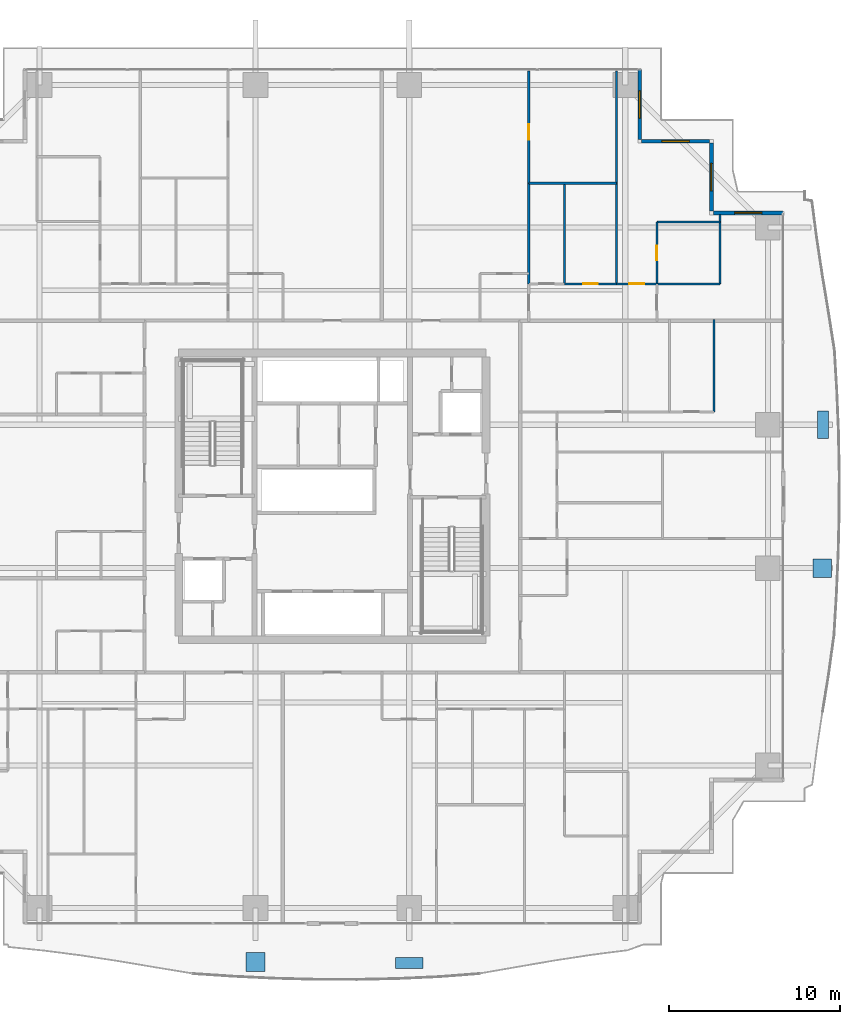
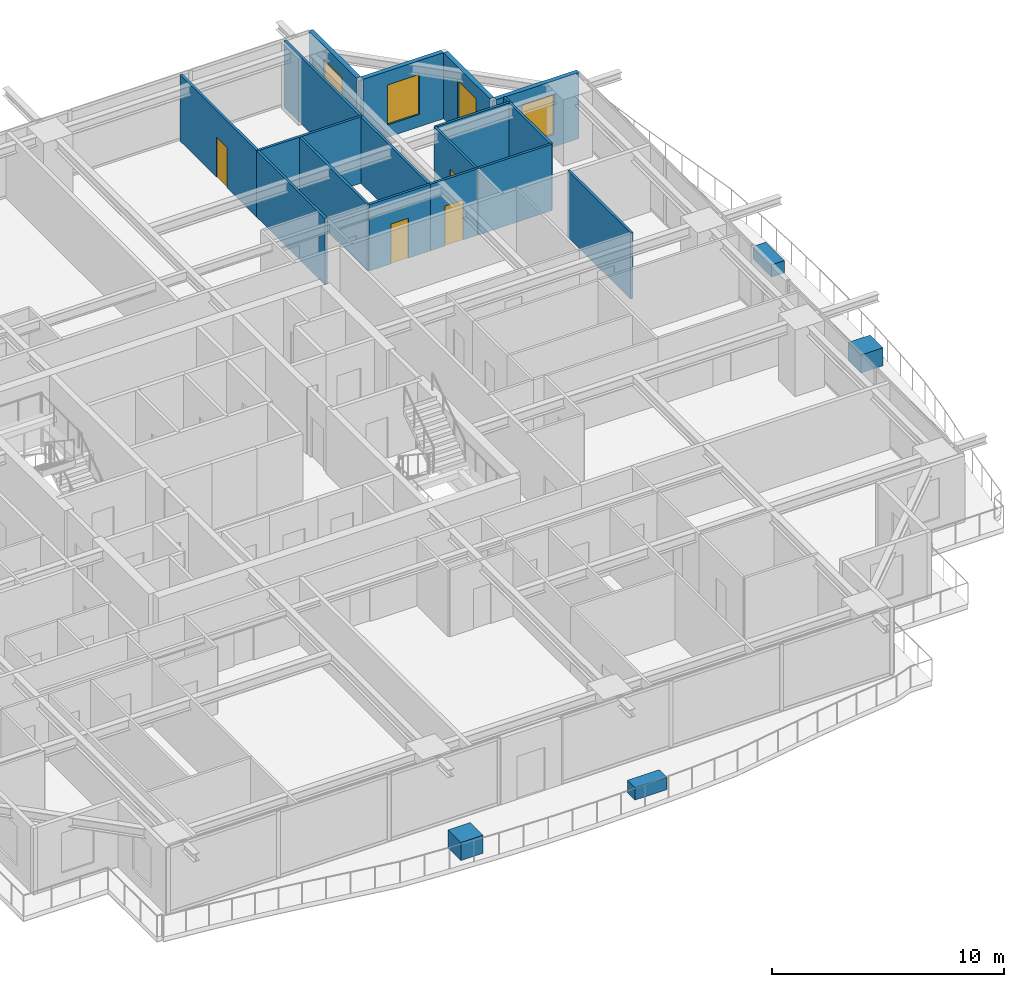
# One storey, part 32 of 39: 16 walls, 4 discrete accessories, 4 doors, 4 windows, 8 openings.
"""IFC4 building model written with IfcOpenShell, lengths in metres."""

from ifc_helpers import new_model, si_unit, direction, frame, frame_2d, origin, origin_2d, place, context, subcontext, project, spatial, rectangle, extrude, source, transform, mapped, material, layer, layer_set, type_object, element, fill, save


model = new_model("IFC4")

# Units and contexts
model_context = context("Model", 3, precision=1e-05, world=origin(), true_north=direction((0.0, 1.0)))
body_context = subcontext(model_context, "Body", "Model", "MODEL_VIEW")
ifc_project = project(units=[si_unit("LENGTHUNIT", "METRE"), si_unit("AREAUNIT", "SQUARE_METRE"), si_unit("VOLUMEUNIT", "CUBIC_METRE"), si_unit("PLANEANGLEUNIT", "RADIAN"), si_unit("MASSUNIT", "GRAM", prefix="KILO")], contexts=[model_context])

# Site, building, storey
site_placement = place(None, origin())
site = spatial("IfcSite", under=ifc_project, at=site_placement, CompositionType="ELEMENT")
building_placement = place(site_placement, origin())
building = spatial("IfcBuilding", under=site, at=building_placement, Name="Serunith Strait Residences", CompositionType="ELEMENT")
storey_placement = place(building_placement, frame((0.0, 0.0, 79.199951171875)))
storey = spatial("IfcBuildingStorey", under=building, at=storey_placement, Name="L19", CompositionType="ELEMENT", Elevation=79.199951171875)

# Wall, opening, window
ifc_material_1 = material(Name="Pale-Champagne Aluminium Insulated Panel", Category="aluminium")
ifc_layer_1 = layer(ifc_material_1, 0.219970703125, Name="Pale-Champagne Aluminium Insulated Panel")
ifc_layer_set_1 = layer_set([ifc_layer_1], Name="Pale-Champagne Aluminium Insulated Panel")
wall_type_1 = type_object("IfcWallType", Name="EW-ALUM-220", PredefinedType="ELEMENTEDWALL", material=ifc_layer_set_1)
wall_1_placement = place(storey_placement, frame((58.800048828125, 41.800048828125, 0.0), z_axis=(0.0, 0.0, 1.0), x_axis=(-1.0, 0.0, 0.0)))
wall_1 = element("IfcWall", 1, at=wall_1_placement, inside=storey, type_object=wall_type_1, Name="L19 Girih Serrated Corner Wall 07", PredefinedType="ELEMENTEDWALL", context=body_context, shape_type="SweptSolid", body=[
    extrude(rectangle(XDim=4.090087890625, YDim=0.219970703125, at=frame_2d((2.044921875, 0.0))), origin(), (0.0, 0.0, 1.0), 3.47509765625),
])
opening_1_placement = place(wall_1_placement, frame((1.2451171875, 0.0, 0.64990234375)))
opening_1 = element("IfcOpeningElement", 2, at=opening_1_placement, cuts=wall_1, Name="Opening W-02", PredefinedType="OPENING", context=body_context, shape_type="SweptSolid", body=[
    extrude(rectangle(XDim=1.60009765625, YDim=2.10009765625, at=frame_2d((0.800048828125, 1.050048828125))), frame((0.0, 0.1201171875, 0.0), z_axis=(0.0, -1.0, 0.0), x_axis=(1.0, 0.0, 0.0)), (0.0, 0.0, 1.0), 0.239990234375),
])
ifc_material_2 = material(Name="Ceramic-Fritted Operable Aluminium Window Glass", Category="aluminium")
window_type = type_object("IfcWindowType", Name="WIN-C2", PartitioningType="DOUBLE_PANEL_VERTICAL", PredefinedType="WINDOW", material=ifc_material_2)
shared_shape_1 = source(origin(), body_context, "Body", "SweptSolid", [
    extrude(rectangle(XDim=1.60009765625, YDim=2.10009765625, at=frame_2d((0.800048828125, 1.050048828125))), frame((0.0, 0.030029296875, 0.0), z_axis=(0.0, -1.0, 0.0), x_axis=(1.0, 0.0, 0.0)), (0.0, 0.0, 1.0), 0.06005859375),
])
window_1_placement = place(opening_1_placement, origin())
window_1 = element("IfcWindow", 3, at=window_1_placement, inside=storey, type_object=window_type, Name="L19 Corner Operable Fritted Window 07", OverallHeight=2.10009765625, OverallWidth=1.60009765625, PartitioningType="SINGLE_PANEL", PredefinedType="WINDOW", context=body_context, shape_type="MappedRepresentation", body=[
    mapped(shared_shape_1, transform((0.0, 0.0, 0.0), scale=1.0)),
])
fill(opening_1, window_1)

wall_2_placement = place(storey_placement, frame((54.60009765625, 41.909912109375, 0.0), z_axis=(0.0, 0.0, 1.0), x_axis=(0.0, 1.0, 0.0)))
wall_2 = element("IfcWall", 4, at=wall_2_placement, inside=storey, type_object=wall_type_1, Name="L19 Girih Serrated Corner Wall 08", PredefinedType="ELEMENTEDWALL", context=body_context, shape_type="SweptSolid", body=[
    extrude(rectangle(XDim=3.97998046875, YDim=0.219970703125, at=frame_2d((1.989990234375, 0.0))), origin(), (0.0, 0.0, 1.0), 3.47509765625),
])
opening_2_placement = place(wall_2_placement, frame((1.18994140625, 0.0, 0.64990234375)))
opening_2 = element("IfcOpeningElement", 5, at=opening_2_placement, cuts=wall_2, Name="Opening W-02", PredefinedType="OPENING", context=body_context, shape_type="SweptSolid", body=[
    extrude(rectangle(XDim=1.60009765625, YDim=2.10009765625, at=frame_2d((0.800048828125, 1.050048828125))), frame((0.0, 0.1201171875, 0.0), z_axis=(0.0, -1.0, 0.0), x_axis=(1.0, 0.0, 0.0)), (0.0, 0.0, 1.0), 0.239990234375),
])
window_2_placement = place(opening_2_placement, origin())
window_2 = element("IfcWindow", 6, at=window_2_placement, inside=storey, type_object=window_type, Name="L19 Corner Operable Fritted Window 08", OverallHeight=2.10009765625, OverallWidth=1.60009765625, PartitioningType="SINGLE_PANEL", PredefinedType="WINDOW", context=body_context, shape_type="MappedRepresentation", body=[
    mapped(shared_shape_1, transform((0.0, 0.0, 0.0), scale=1.0)),
])
fill(opening_2, window_2)

wall_3_placement = place(storey_placement, frame((54.489990234375, 46.0, 0.0), z_axis=(0.0, 0.0, 1.0), x_axis=(-1.0, 0.0, 0.0)))
wall_3 = element("IfcWall", 7, at=wall_3_placement, inside=storey, type_object=wall_type_1, Name="L19 Girih Serrated Corner Wall 09", PredefinedType="ELEMENTEDWALL", context=body_context, shape_type="SweptSolid", body=[
    extrude(rectangle(XDim=3.97998046875, YDim=0.219970703125, at=frame_2d((1.989990234375, 0.0))), origin(), (0.0, 0.0, 1.0), 3.47509765625),
])
opening_3_placement = place(wall_3_placement, frame((1.18994140625, 0.0, 0.64990234375)))
opening_3 = element("IfcOpeningElement", 8, at=opening_3_placement, cuts=wall_3, Name="Opening W-02", PredefinedType="OPENING", context=body_context, shape_type="SweptSolid", body=[
    extrude(rectangle(XDim=1.60009765625, YDim=2.10009765625, at=frame_2d((0.800048828125, 1.050048828125))), frame((0.0, 0.1201171875, 0.0), z_axis=(0.0, -1.0, 0.0), x_axis=(1.0, 0.0, 0.0)), (0.0, 0.0, 1.0), 0.239990234375),
])
window_3_placement = place(opening_3_placement, origin())
window_3 = element("IfcWindow", 9, at=window_3_placement, inside=storey, type_object=window_type, Name="L19 Corner Operable Fritted Window 09", OverallHeight=2.10009765625, OverallWidth=1.60009765625, PartitioningType="SINGLE_PANEL", PredefinedType="WINDOW", context=body_context, shape_type="MappedRepresentation", body=[
    mapped(shared_shape_1, transform((0.0, 0.0, 0.0), scale=1.0)),
])
fill(opening_3, window_3)

wall_4_placement = place(storey_placement, frame((50.39990234375, 46.110107421875, 0.0), z_axis=(0.0, 0.0, 1.0), x_axis=(0.0, 1.0, 0.0)))
wall_4 = element("IfcWall", 10, at=wall_4_placement, inside=storey, type_object=wall_type_1, Name="L19 Girih Serrated Corner Wall 10", PredefinedType="ELEMENTEDWALL", context=body_context, shape_type="SweptSolid", body=[
    extrude(rectangle(XDim=4.08984375, YDim=0.219970703125, at=frame_2d((2.044921875, 0.0))), origin(), (0.0, 0.0, 1.0), 3.47509765625),
])
opening_4_placement = place(wall_4_placement, frame((1.2451171875, 0.0, 0.64990234375)))
opening_4 = element("IfcOpeningElement", 11, at=opening_4_placement, cuts=wall_4, Name="Opening W-02", PredefinedType="OPENING", context=body_context, shape_type="SweptSolid", body=[
    extrude(rectangle(XDim=1.60009765625, YDim=2.10009765625, at=frame_2d((0.800048828125, 1.050048828125))), frame((0.0, 0.1201171875, 0.0), z_axis=(0.0, -1.0, 0.0), x_axis=(1.0, 0.0, 0.0)), (0.0, 0.0, 1.0), 0.239990234375),
])
window_4_placement = place(opening_4_placement, origin())
window_4 = element("IfcWindow", 12, at=window_4_placement, inside=storey, type_object=window_type, Name="L19 Corner Operable Fritted Window 10", OverallHeight=2.10009765625, OverallWidth=1.60009765625, PartitioningType="SINGLE_PANEL", PredefinedType="WINDOW", context=body_context, shape_type="MappedRepresentation", body=[
    mapped(shared_shape_1, transform((0.0, 0.0, 0.0), scale=1.0)),
])
fill(opening_4, window_4)

# Wall, opening, door
ifc_material_3 = material(Name="Lightweight steel-stud gypsum partition", Category="steel")
ifc_layer_2 = layer(ifc_material_3, 0.1201171875, Name="Lightweight steel-stud gypsum partition")
ifc_layer_set_2 = layer_set([ifc_layer_2], Name="Lightweight steel-stud gypsum partition")
wall_type_2 = type_object("IfcWallType", Name="IW-PART-120", PredefinedType="PARTITIONING", material=ifc_layer_set_2)
wall_5_placement = place(storey_placement, frame((43.89990234375, 50.10498046875, 0.0), z_axis=(0.0, 0.0, 1.0), x_axis=(0.0, -1.0, 0.0)))
wall_5 = element("IfcWall", 13, at=wall_5_placement, inside=storey, type_object=wall_type_2, Name="L19 Partition Wall 082", PredefinedType="PARTITIONING", context=body_context, shape_type="SweptSolid", body=[
    extrude(rectangle(XDim=6.56494140625, YDim=0.1201171875, at=frame_2d((3.282470703125, 0.0))), origin(), (0.0, 0.0, 1.0), 3.489990234375),
])
opening_5_placement = place(wall_5_placement, frame((3.115966796875, 0.0, 0.0)))
opening_5 = element("IfcOpeningElement", 14, at=opening_5_placement, cuts=wall_5, Name="Opening D-RM900", PredefinedType="OPENING", context=body_context, shape_type="SweptSolid", body=[
    extrude(rectangle(XDim=0.89990234375, YDim=2.10009765625, at=frame_2d((0.449951171875, 1.050048828125))), frame((0.0, 0.070068359375, 0.0), z_axis=(0.0, -1.0, 0.0), x_axis=(1.0, 0.0, 0.0)), (0.0, 0.0, 1.0), 0.14013671875),
])
ifc_material_4 = material(Name="Engineered timber flush bedroom door", Category="wood")
door_type_1 = type_object("IfcDoorType", Name="ID-ROOM-900", OperationType="NOTDEFINED", PredefinedType="DOOR", material=ifc_material_4)
shared_shape_2 = source(origin(), body_context, "Body", "SweptSolid", [
    extrude(rectangle(XDim=0.89990234375, YDim=2.10009765625, at=frame_2d((0.449951171875, 1.050048828125))), frame((0.0, 0.02490234375, 0.0), z_axis=(0.0, -1.0, 0.0), x_axis=(1.0, 0.0, 0.0)), (0.0, 0.0, 1.0), 0.050048828125),
])
door_1_placement = place(opening_5_placement, origin())
door_1 = element("IfcDoor", 15, at=door_1_placement, inside=storey, type_object=door_type_1, Name="L19 Formal Dining Room 1 1904 Door", OperationType="SINGLE_SWING_RIGHT", OverallHeight=2.10009765625, OverallWidth=0.89990234375, PredefinedType="DOOR", context=body_context, shape_type="MappedRepresentation", body=[
    mapped(shared_shape_2, transform((0.0, 0.0, 0.0), scale=1.0)),
])
fill(opening_5, door_1)

# Walls
wall_6_placement = place(storey_placement, frame((43.89990234375, 43.5380859375, 0.0), z_axis=(0.0, 0.0, 1.0), x_axis=(0.0, -1.0, 0.0)))
element("IfcWall", 16, at=wall_6_placement, inside=storey, type_object=wall_type_2, Name="L19 Partition Wall 083", PredefinedType="PARTITIONING", context=body_context, shape_type="SweptSolid", body=[
    extrude(rectangle(XDim=5.885986328125, YDim=0.1201171875, at=frame_2d((2.94287109375, 0.0))), origin(), (0.0, 0.0, 1.0), 3.489990234375),
])
wall_7_placement = place(storey_placement, frame((43.89990234375, 43.5400390625, 0.0), z_axis=(0.0, 0.0, 1.0), x_axis=(1.0, 0.0, 0.0)))
element("IfcWall", 17, at=wall_7_placement, inside=storey, type_object=wall_type_2, Name="L19 Partition Wall 084", PredefinedType="PARTITIONING", context=body_context, shape_type="SweptSolid", body=[
    extrude(rectangle(XDim=5.150146484375, YDim=0.1201171875, at=frame_2d((2.5751953125, 0.0))), origin(), (0.0, 0.0, 1.0), 3.489990234375),
])
wall_8_placement = place(storey_placement, frame((49.050048828125, 50.10498046875, 0.0), z_axis=(0.0, 0.0, 1.0), x_axis=(0.0, -1.0, 0.0)))
element("IfcWall", 18, at=wall_8_placement, inside=storey, type_object=wall_type_2, Name="L19 Partition Wall 085", PredefinedType="PARTITIONING", context=body_context, shape_type="SweptSolid", body=[
    extrude(rectangle(XDim=12.455078125, YDim=0.1201171875, at=frame_2d((6.2275390625, 0.0))), origin(), (0.0, 0.0, 1.0), 3.489990234375),
])
wall_9_placement = place(storey_placement, frame((46.0, 43.5400390625, 0.0), z_axis=(0.0, 0.0, 1.0), x_axis=(0.0, -1.0, 0.0)))
element("IfcWall", 19, at=wall_9_placement, inside=storey, type_object=wall_type_2, Name="L19 Partition Wall 086", PredefinedType="PARTITIONING", context=body_context, shape_type="SweptSolid", body=[
    extrude(rectangle(XDim=5.89013671875, YDim=0.1201171875, at=frame_2d((2.945068359375, 0.0))), origin(), (0.0, 0.0, 1.0), 3.489990234375),
])

# Wall, opening, door
wall_10_placement = place(storey_placement, frame((46.001953125, 37.64990234375, 0.0), z_axis=(0.0, 0.0, 1.0), x_axis=(1.0, 0.0, 0.0)))
wall_10 = element("IfcWall", 20, at=wall_10_placement, inside=storey, type_object=wall_type_2, Name="L19 Partition Wall 088", PredefinedType="PARTITIONING", context=body_context, shape_type="SweptSolid", body=[
    extrude(rectangle(XDim=3.048095703125, YDim=0.1201171875, at=frame_2d((1.52392578125, 0.0))), origin(), (0.0, 0.0, 1.0), 3.489990234375),
])
opening_6_placement = place(wall_10_placement, frame((1.09912109375, 0.0, 0.0)))
opening_6 = element("IfcOpeningElement", 21, at=opening_6_placement, cuts=wall_10, Name="Opening D-RM850", PredefinedType="OPENING", context=body_context, shape_type="SweptSolid", body=[
    extrude(rectangle(XDim=0.85009765625, YDim=2.10009765625, at=frame_2d((0.425048828125, 1.050048828125))), frame((0.0, 0.070068359375, 0.0), z_axis=(0.0, -1.0, 0.0), x_axis=(1.0, 0.0, 0.0)), (0.0, 0.0, 1.0), 0.14013671875),
])
ifc_material_5 = material(Name="Engineered timber flush study and kitchen door", Category="wood")
door_type_2 = type_object("IfcDoorType", Name="ID-ROOM-850", OperationType="NOTDEFINED", PredefinedType="DOOR", material=ifc_material_5)
shared_shape_3 = source(origin(), body_context, "Body", "SweptSolid", [
    extrude(rectangle(XDim=0.85009765625, YDim=2.10009765625, at=frame_2d((0.425048828125, 1.050048828125))), frame((0.0, 0.02490234375, 0.0), z_axis=(0.0, -1.0, 0.0), x_axis=(1.0, 0.0, 0.0)), (0.0, 0.0, 1.0), 0.050048828125),
])
door_2_placement = place(opening_6_placement, origin())
door_2 = element("IfcDoor", 22, at=door_2_placement, inside=storey, type_object=door_type_2, Name="L19 Laundry Room 1904 Door", OperationType="SINGLE_SWING_RIGHT", OverallHeight=2.10009765625, OverallWidth=0.85009765625, PredefinedType="DOOR", context=body_context, shape_type="MappedRepresentation", body=[
    mapped(shared_shape_3, transform((0.0, 0.0, 0.0), scale=1.0)),
])
fill(opening_6, door_2)

wall_11_placement = place(storey_placement, frame((49.052001953125, 37.64990234375, 0.0), z_axis=(0.0, 0.0, 1.0), x_axis=(1.0, 0.0, 0.0)))
wall_11 = element("IfcWall", 23, at=wall_11_placement, inside=storey, type_object=wall_type_2, Name="L19 Partition Wall 089", PredefinedType="PARTITIONING", context=body_context, shape_type="SweptSolid", body=[
    extrude(rectangle(XDim=2.347900390625, YDim=0.1201171875, at=frame_2d((1.173828125, 0.0))), origin(), (0.0, 0.0, 1.0), 3.489990234375),
])
opening_7_placement = place(wall_11_placement, frame((0.72412109375, 0.0, 0.0)))
opening_7 = element("IfcOpeningElement", 24, at=opening_7_placement, cuts=wall_11, Name="Opening D-RM900", PredefinedType="OPENING", context=body_context, shape_type="SweptSolid", body=[
    extrude(rectangle(XDim=0.89990234375, YDim=2.10009765625, at=frame_2d((0.449951171875, 1.050048828125))), frame((0.0, 0.070068359375, 0.0), z_axis=(0.0, -1.0, 0.0), x_axis=(1.0, 0.0, 0.0)), (0.0, 0.0, 1.0), 0.14013671875),
])
door_3_placement = place(opening_7_placement, origin())
door_3 = element("IfcDoor", 25, at=door_3_placement, inside=storey, type_object=door_type_1, Name="L19 Master Bedroom E 1904 Door", OperationType="SINGLE_SWING_LEFT", OverallHeight=2.10009765625, OverallWidth=0.89990234375, PredefinedType="DOOR", context=body_context, shape_type="MappedRepresentation", body=[
    mapped(shared_shape_2, transform((0.0, 0.0, 0.0), scale=1.0)),
])
fill(opening_7, door_3)

# Walls
wall_12_placement = place(storey_placement, frame((51.39990234375, 41.261962890625, 0.0), z_axis=(0.0, 0.0, 1.0), x_axis=(1.0, 0.0, 0.0)))
element("IfcWall", 26, at=wall_12_placement, inside=storey, type_object=wall_type_2, Name="L19 Partition Wall 090", PredefinedType="PARTITIONING", context=body_context, shape_type="SweptSolid", body=[
    extrude(rectangle(XDim=3.7001953125, YDim=0.1201171875, at=frame_2d((1.85009765625, 0.0))), origin(), (0.0, 0.0, 1.0), 3.489990234375),
])
wall_13_placement = place(storey_placement, frame((55.10009765625, 41.705078125, 0.0), z_axis=(0.0, 0.0, 1.0), x_axis=(0.0, -1.0, 0.0)))
element("IfcWall", 27, at=wall_13_placement, inside=storey, type_object=wall_type_2, Name="L19 Partition Wall 091", PredefinedType="PARTITIONING", context=body_context, shape_type="SweptSolid", body=[
    extrude(rectangle(XDim=4.05517578125, YDim=0.1201171875, at=frame_2d((2.027587890625, 0.0))), origin(), (0.0, 0.0, 1.0), 3.489990234375),
])
wall_14_placement = place(storey_placement, frame((51.402099609375, 37.64990234375, 0.0), z_axis=(0.0, 0.0, 1.0), x_axis=(1.0, 0.0, 0.0)))
element("IfcWall", 28, at=wall_14_placement, inside=storey, type_object=wall_type_2, Name="L19 Partition Wall 092", PredefinedType="PARTITIONING", context=body_context, shape_type="SweptSolid", body=[
    extrude(rectangle(XDim=3.697998046875, YDim=0.1201171875, at=frame_2d((1.84912109375, 0.0))), origin(), (0.0, 0.0, 1.0), 3.489990234375),
])

# Wall, opening, door
wall_15_placement = place(storey_placement, frame((51.39990234375, 41.261962890625, 0.0), z_axis=(0.0, 0.0, 1.0), x_axis=(0.0, -1.0, 0.0)))
wall_15 = element("IfcWall", 29, at=wall_15_placement, inside=storey, type_object=wall_type_2, Name="L19 Partition Wall 093", PredefinedType="PARTITIONING", context=body_context, shape_type="SweptSolid", body=[
    extrude(rectangle(XDim=3.612060546875, YDim=0.1201171875, at=frame_2d((1.80615234375, 0.0))), origin(), (0.0, 0.0, 1.0), 3.489990234375),
])
opening_8_placement = place(wall_15_placement, frame((1.381103515625, 0.0, 0.0)))
opening_8 = element("IfcOpeningElement", 30, at=opening_8_placement, cuts=wall_15, Name="Opening D-BTH850", PredefinedType="OPENING", context=body_context, shape_type="SweptSolid", body=[
    extrude(rectangle(XDim=0.85009765625, YDim=2.10009765625, at=frame_2d((0.425048828125, 1.050048828125))), frame((0.0, 0.070068359375, 0.0), z_axis=(0.0, -1.0, 0.0), x_axis=(1.0, 0.0, 0.0)), (0.0, 0.0, 1.0), 0.14013671875),
])
ifc_material_6 = material(Name="Moisture-resistant timber bathroom door", Category="wood")
door_type_3 = type_object("IfcDoorType", Name="ID-BATH-850", OperationType="NOTDEFINED", PredefinedType="DOOR", material=ifc_material_6)
door_4_placement = place(opening_8_placement, origin())
door_4 = element("IfcDoor", 31, at=door_4_placement, inside=storey, type_object=door_type_3, Name="L19 En-suite Bathroom E 1904 Door", OperationType="SINGLE_SWING_RIGHT", OverallHeight=2.10009765625, OverallWidth=0.85009765625, PredefinedType="DOOR", context=body_context, shape_type="MappedRepresentation", body=[
    mapped(shared_shape_3, transform((0.0, 0.0, 0.0), scale=1.0)),
])
fill(opening_8, door_4)

# Wall
wall_16_placement = place(storey_placement, frame((54.75, 30.14990234375, 0.0), z_axis=(0.0, 0.0, 1.0), x_axis=(0.0, 1.0, 0.0)))
element("IfcWall", 32, at=wall_16_placement, inside=storey, type_object=wall_type_2, Name="L19 Partition Wall 118", PredefinedType="PARTITIONING", context=body_context, shape_type="SweptSolid", body=[
    extrude(rectangle(XDim=5.41015625, YDim=0.1201171875, at=frame_2d((2.705078125, 0.0))), origin(), (0.0, 0.0, 1.0), 3.489990234375),
])

# Discrete accessories
ifc_material_7 = material(Name="GFRC Root-Anchored Structural Planter")
discrete_accessory_type_1 = type_object("IfcDiscreteAccessoryType", Name="ACC-PLANTER-TREE", PredefinedType="USERDEFINED", material=ifc_material_7)
shared_shape_4 = source(origin(), body_context, "Body", "SweptSolid", [
    extrude(rectangle(XDim=1.10009765625, YDim=1.10009765625, at=origin_2d()), origin(), (0.0, 0.0, 1.0), 0.949951171875),
])
for number, where, z_axis, x_axis, name in (
    (33, (27.89990234375, -2.068115234375, -0.0498046875), (0.0, 0.0, 1.0), (1.0, 0.0, 0.0), "L19 Vertical-Forest Tree Planter 02"),
    (34, (61.091796875, 21.0, -0.0498046875), (0.0, 0.0, 1.0), (0.0, 1.0, 0.0), "L19 Vertical-Forest Tree Planter 10"),
):
    element("IfcDiscreteAccessory", number, at=place(storey_placement, frame(where, z_axis=z_axis, x_axis=x_axis)), inside=storey, type_object=discrete_accessory_type_1, Name=name, ObjectType="PLANTER", PredefinedType="USERDEFINED", context=body_context, shape_type="MappedRepresentation", body=[
        mapped(shared_shape_4, transform((0.0, 0.0, 0.0), scale=1.0)),
    ])
ifc_material_8 = material(Name="GFRC Irrigated Shrub Trough Planter")
discrete_accessory_type_2 = type_object("IfcDiscreteAccessoryType", Name="ACC-PLANTER-SHRUB", PredefinedType="USERDEFINED", material=ifc_material_8)
shared_shape_5 = source(origin(), body_context, "Body", "SweptSolid", [
    extrude(rectangle(XDim=1.60009765625, YDim=0.64990234375, at=origin_2d()), origin(), (0.0, 0.0, 1.0), 0.64990234375),
])
for number, where, z_axis, x_axis, name in (
    (35, (36.89990234375, -2.109130859375, -0.0498046875), (0.0, 0.0, 1.0), (1.0, 0.0, 0.0), "L19 Vertical-Forest Shrub Planter 03"),
    (36, (61.130126953125, 29.39990234375, -0.0498046875), (0.0, 0.0, 1.0), (0.0, 1.0, 0.0), "L19 Vertical-Forest Shrub Planter 11"),
):
    element("IfcDiscreteAccessory", number, at=place(storey_placement, frame(where, z_axis=z_axis, x_axis=x_axis)), inside=storey, type_object=discrete_accessory_type_2, Name=name, ObjectType="PLANTER", PredefinedType="USERDEFINED", context=body_context, shape_type="MappedRepresentation", body=[
        mapped(shared_shape_5, transform((0.0, 0.0, 0.0), scale=1.0)),
    ])

save(model, "model.ifc")
